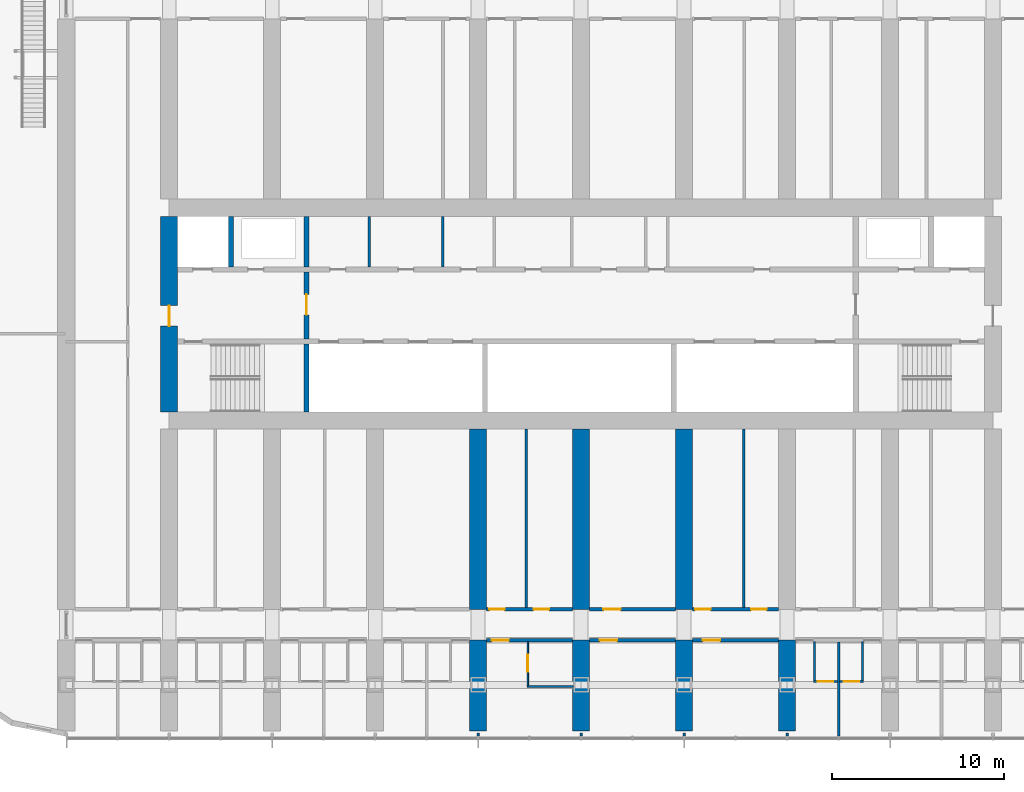
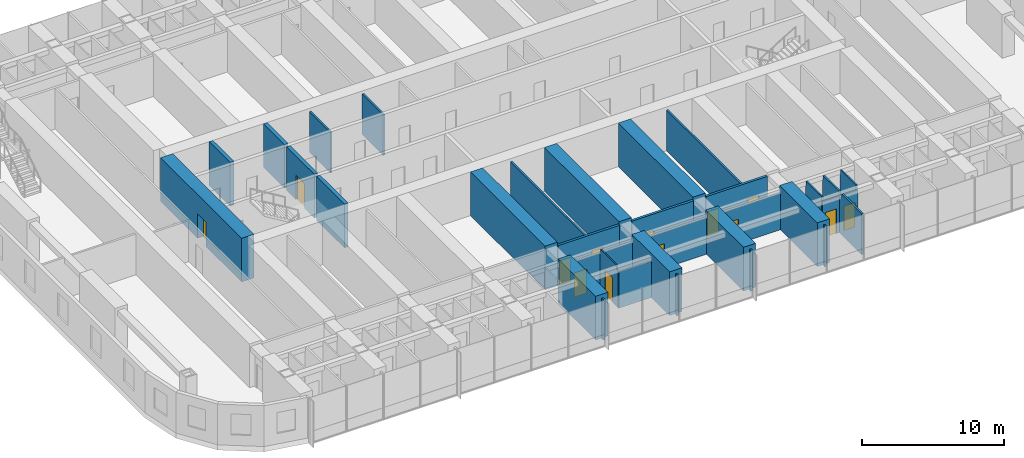
# One storey, part 14 of 28: 33 walls, 13 doors, 13 openings.
"""IFC4 building model written with IfcOpenShell, lengths in metres."""

from ifc_helpers import new_model, si_unit, direction, frame, frame_2d, origin, place, context, subcontext, project, spatial, polyline, rectangle, outline, extrude, material, layer, layer_set, type_object, element, fill, save


model = new_model("IFC4")

# Units and contexts
model_context = context("Model", 3, precision=1e-05, world=origin(), true_north=direction((0.0, 1.0)))
body_context = subcontext(model_context, "Body", "Model", "MODEL_VIEW")
ifc_project = project(units=[si_unit("LENGTHUNIT", "METRE"), si_unit("AREAUNIT", "SQUARE_METRE"), si_unit("VOLUMEUNIT", "CUBIC_METRE"), si_unit("PLANEANGLEUNIT", "RADIAN"), si_unit("MASSUNIT", "GRAM", prefix="KILO")], contexts=[model_context])

# Site, building, storey
site_placement = place(None, origin())
site = spatial("IfcSite", under=ifc_project, at=site_placement, CompositionType="ELEMENT")
building_placement = place(site_placement, origin())
building = spatial("IfcBuilding", under=site, at=building_placement, Name="Orbita Commons", CompositionType="ELEMENT")
storey_placement = place(building_placement, frame((0.0, 0.0, 38.949951171875)))
storey = spatial("IfcBuildingStorey", under=building, at=storey_placement, Name="L09", CompositionType="ELEMENT", Elevation=38.949951171875)

# Wall
ifc_material_1 = material(Name="Concrete C50/60", Category="concrete")
ifc_layer_1 = layer(ifc_material_1, 0.300048828125)
ifc_layer_set_1 = layer_set([ifc_layer_1], Name="Concrete C50/60")
wall_type_1 = type_object("IfcWallType", Name="Core inner wall 300 C50/60", PredefinedType="SHEAR", material=ifc_layer_set_1)
wall_1_placement = place(storey_placement, frame((26.0, 26.300048828125, 0.0), z_axis=(0.0, 0.0, 1.0), x_axis=(0.0, 1.0, 0.0)))
element("IfcWall", 1, at=wall_1_placement, inside=storey, type_object=wall_type_1, Name="Stair S1 wall L09", PredefinedType="SHEAR", context=body_context, shape_type="SweptSolid", body=[
    extrude(rectangle(XDim=3.949951171875, YDim=0.300048828125, at=frame_2d((1.97509765625, 0.0))), origin(), (0.0, 0.0, 1.0), 3.75),
])

# Wall, opening, door
wall_2_placement = place(storey_placement, frame((26.0, 30.550048828125, 0.0), z_axis=(0.0, 0.0, 1.0), x_axis=(0.0, 1.0, 0.0)))
wall_2 = element("IfcWall", 2, at=wall_2_placement, inside=storey, type_object=wall_type_1, Name="Firefighting lobby wall west L09", PredefinedType="SHEAR", context=body_context, shape_type="SweptSolid", body=[
    extrude(rectangle(XDim=3.89990234375, YDim=0.300048828125, at=frame_2d((1.949951171875, 0.0))), origin(), (0.0, 0.0, 1.0), 3.75),
])
opening_1_placement = place(wall_2_placement, frame((1.39990234375, 0.0, 0.0)))
opening_1 = element("IfcOpeningElement", 3, at=opening_1_placement, cuts=wall_2, Name="Opening D04", PredefinedType="OPENING", context=body_context, shape_type="SweptSolid", body=[
    extrude(rectangle(XDim=1.199951171875, YDim=2.10009765625, at=frame_2d((0.60009765625, 1.050048828125))), frame((0.0, 0.159912109375, 0.0), z_axis=(0.0, -1.0, 0.0), x_axis=(1.0, 0.0, 0.0)), (0.0, 0.0, 1.0), 0.320068359375),
])
ifc_material_2 = material(Name="Steel-faced fire door leaf", Category="steel")
door_type_1 = type_object("IfcDoorType", Name="Service door 20 min 1200x2100", OperationType="SINGLE_SWING_LEFT", PredefinedType="DOOR", material=ifc_material_2)
door_1_placement = place(opening_1_placement, origin())
door_1 = element("IfcDoor", 4, at=door_1_placement, inside=storey, type_object=door_type_1, Name="Lift lobby door west", OperationType="SINGLE_SWING_LEFT", OverallHeight=2.10009765625, OverallWidth=1.199951171875, PredefinedType="DOOR", context=body_context, shape_type="SweptSolid", body=[
    extrude(rectangle(XDim=1.199951171875, YDim=2.10009765625, at=frame_2d((0.60009765625, 1.050048828125))), frame((0.0, 0.02490234375, 0.0), z_axis=(0.0, -1.0, 0.0), x_axis=(1.0, 0.0, 0.0)), (0.0, 0.0, 1.0), 0.050048828125),
])
fill(opening_1, door_1)

# Walls
for number, where, z_axis, x_axis, name in (
    (5, (21.60009765625, 34.75, 0.0), (0.0, 0.0, 1.0), (0.0, 1.0, 0.0), "Firefighting lift FL1 shaft wall L09"),
    (6, (26.0, 34.75, 0.0), (0.0, 0.0, 1.0), (0.0, 1.0, 0.0), "Riser wall west L09"),
):
    element("IfcWall", number, at=place(storey_placement, frame(where, z_axis=z_axis, x_axis=x_axis)), inside=storey, type_object=wall_type_1, Name=name, PredefinedType="SHEAR", context=body_context, shape_type="SweptSolid", body=[
        extrude(rectangle(XDim=2.949951171875, YDim=0.300048828125, at=frame_2d((1.47509765625, 0.0))), origin(), (0.0, 0.0, 1.0), 3.75),
    ])
ifc_material_3 = material(Name="Concrete blockwork", Category="masonry")
ifc_layer_2 = layer(ifc_material_3, 0.14990234375)
ifc_layer_set_2 = layer_set([ifc_layer_2], Name="Concrete blockwork")
wall_type_2 = type_object("IfcWallType", Name="Core partition 150 blockwork", PredefinedType="SOLIDWALL", material=ifc_layer_set_2)
for number, where, z_axis, x_axis, name in (
    (7, (29.65087890625, 34.75, 0.0), (0.0, 0.0, 1.0), (0.0, 1.0, 0.0), "Core partition 150 blockwork L09"),
    (8, (33.9462890625, 34.75, 0.0), (0.0, 0.0, 1.0), (0.0, 1.0, 0.0), "Core partition 150 blockwork L09"),
):
    element("IfcWall", number, at=place(storey_placement, frame(where, z_axis=z_axis, x_axis=x_axis)), inside=storey, type_object=wall_type_2, Name=name, PredefinedType="SOLIDWALL", context=body_context, shape_type="SweptSolid", body=[
        extrude(rectangle(XDim=2.949951171875, YDim=0.14990234375, at=frame_2d((1.47509765625, 0.0))), origin(), (0.0, 0.0, 1.0), 3.5),
    ])

# Wall, opening, door
ifc_material_4 = material(Name="Concrete C50/60", Category="concrete")
ifc_layer_3 = layer(ifc_material_4, 1.0)
ifc_layer_set_3 = layer_set([ifc_layer_3], Name="Concrete C50/60")
wall_type_3 = type_object("IfcWallType", Name="Core wall 1000 C50/60", PredefinedType="SHEAR", material=ifc_layer_set_3)
wall_3_placement = place(storey_placement, frame((18.0, 26.300048828125, 0.0), z_axis=(0.0, 0.0, 1.0), x_axis=(0.0, 1.0, 0.0)))
wall_3 = element("IfcWall", 9, at=wall_3_placement, inside=storey, type_object=wall_type_3, Name="Core end wall west L09", PredefinedType="SHEAR", context=body_context, shape_type="SweptSolid", body=[
    extrude(rectangle(XDim=11.39990234375, YDim=1.0, at=frame_2d((5.699951171875, 0.0))), origin(), (0.0, 0.0, 1.0), 3.75),
])
opening_2_placement = place(wall_3_placement, frame((5.0, 0.0, 0.0)))
opening_2 = element("IfcOpeningElement", 10, at=opening_2_placement, cuts=wall_3, Name="Opening D01", PredefinedType="OPENING", context=body_context, shape_type="SweptSolid", body=[
    extrude(rectangle(XDim=1.199951171875, YDim=2.10009765625, at=frame_2d((0.60009765625, 1.050048828125))), frame((0.0, 0.510009765625, 0.0), z_axis=(0.0, -1.0, 0.0), x_axis=(1.0, 0.0, 0.0)), (0.0, 0.0, 1.0), 1.02001953125),
])
ifc_material_5 = material(Name="Steel-faced fire door leaf", Category="steel")
door_type_2 = type_object("IfcDoorType", Name="Fire door 90 min 1200x2100", OperationType="SINGLE_SWING_LEFT", PredefinedType="DOOR", material=ifc_material_5)
door_2_placement = place(opening_2_placement, origin())
door_2 = element("IfcDoor", 11, at=door_2_placement, inside=storey, type_object=door_type_2, Name="Firefighting lobby west door", OperationType="SINGLE_SWING_LEFT", OverallHeight=2.10009765625, OverallWidth=1.199951171875, PredefinedType="DOOR", context=body_context, shape_type="SweptSolid", body=[
    extrude(rectangle(XDim=1.199951171875, YDim=2.10009765625, at=frame_2d((0.60009765625, 1.050048828125))), frame((0.0, 0.02490234375, 0.0), z_axis=(0.0, -1.0, 0.0), x_axis=(1.0, 0.0, 0.0)), (0.0, 0.0, 1.0), 0.050048828125),
])
fill(opening_2, door_2)

ifc_material_6 = material(Name="Concrete blockwork", Category="masonry")
ifc_layer_4 = layer(ifc_material_6, 0.199951171875)
ifc_layer_set_4 = layer_set([ifc_layer_4], Name="Concrete blockwork")
wall_type_4 = type_object("IfcWallType", Name="Corridor wall 200 blockwork", PredefinedType="SOLIDWALL", material=ifc_layer_set_4)
wall_4_placement = place(storey_placement, frame((36.5, 13.0, 0.0), z_axis=(0.0, 0.0, 1.0), x_axis=(1.0, 0.0, 0.0)))
wall_4 = element("IfcWall", 12, at=wall_4_placement, inside=storey, type_object=wall_type_4, Name="Corridor wall 200 blockwork L09", PredefinedType="SOLIDWALL", context=body_context, shape_type="SweptSolid", body=[
    extrude(outline(polyline([(0.0, 0.0), (5.0, 0.0), (5.0, 3.10009765625), (0.0, 3.10009765625), (0.0, 0.0)])), frame((0.0, 0.10009765625, 0.0), z_axis=(0.0, -1.0, 0.0), x_axis=(1.0, 0.0, 0.0)), (0.0, 0.0, 1.0), 0.199951171875),
])
opening_3_placement = place(wall_4_placement, frame((0.300048828125, 0.0, 0.0)))
opening_3 = element("IfcOpeningElement", 13, at=opening_3_placement, cuts=wall_4, Name="Opening D06", PredefinedType="OPENING", context=body_context, shape_type="SweptSolid", body=[
    extrude(rectangle(XDim=1.0, YDim=2.10009765625, at=frame_2d((0.5, 1.050048828125))), frame((0.0, 0.10986328125, 0.0), z_axis=(0.0, -1.0, 0.0), x_axis=(1.0, 0.0, 0.0)), (0.0, 0.0, 1.0), 0.219970703125),
])
ifc_material_7 = material(Name="Steel-faced fire door leaf", Category="steel")
door_type_3 = type_object("IfcDoorType", Name="Corridor door 20 min 1000x2100", OperationType="SINGLE_SWING_LEFT", PredefinedType="DOOR", material=ifc_material_7)
door_3_placement = place(opening_3_placement, origin())
door_3 = element("IfcDoor", 14, at=door_3_placement, inside=storey, type_object=door_type_3, Name="Accessible bedroom L09-S08 door", OperationType="SINGLE_SWING_LEFT", OverallHeight=2.10009765625, OverallWidth=1.0, PredefinedType="DOOR", context=body_context, shape_type="SweptSolid", body=[
    extrude(rectangle(XDim=1.0, YDim=2.10009765625, at=frame_2d((0.5, 1.050048828125))), frame((0.0, 0.02490234375, 0.0), z_axis=(0.0, -1.0, 0.0), x_axis=(1.0, 0.0, 0.0)), (0.0, 0.0, 1.0), 0.050048828125),
])
fill(opening_3, door_3)

wall_5_placement = place(storey_placement, frame((42.5, 13.0, 0.0), z_axis=(0.0, 0.0, 1.0), x_axis=(1.0, 0.0, 0.0)))
wall_5 = element("IfcWall", 15, at=wall_5_placement, inside=storey, type_object=wall_type_4, Name="Corridor wall 200 blockwork L09", PredefinedType="SOLIDWALL", context=body_context, shape_type="SweptSolid", body=[
    extrude(outline(polyline([(0.0, 0.0), (5.0, 0.0), (5.0, 3.10009765625), (0.0, 3.10009765625), (0.0, 0.0)])), frame((0.0, 0.10009765625, 0.0), z_axis=(0.0, -1.0, 0.0), x_axis=(1.0, 0.0, 0.0)), (0.0, 0.0, 1.0), 0.199951171875),
])
opening_4_placement = place(wall_5_placement, frame((0.60009765625, 0.0, 0.0)))
opening_4 = element("IfcOpeningElement", 16, at=opening_4_placement, cuts=wall_5, Name="Opening D06", PredefinedType="OPENING", context=body_context, shape_type="SweptSolid", body=[
    extrude(rectangle(XDim=1.0, YDim=2.10009765625, at=frame_2d((0.5, 1.050048828125))), frame((0.0, 0.10986328125, 0.0), z_axis=(0.0, -1.0, 0.0), x_axis=(1.0, 0.0, 0.0)), (0.0, 0.0, 1.0), 0.219970703125),
])
door_4_placement = place(opening_4_placement, origin())
door_4 = element("IfcDoor", 17, at=door_4_placement, inside=storey, type_object=door_type_3, Name="House study room L09-S10 door", OperationType="SINGLE_SWING_LEFT", OverallHeight=2.10009765625, OverallWidth=1.0, PredefinedType="DOOR", context=body_context, shape_type="SweptSolid", body=[
    extrude(rectangle(XDim=1.0, YDim=2.10009765625, at=frame_2d((0.5, 1.050048828125))), frame((0.0, 0.02490234375, 0.0), z_axis=(0.0, -1.0, 0.0), x_axis=(1.0, 0.0, 0.0)), (0.0, 0.0, 1.0), 0.050048828125),
])
fill(opening_4, door_4)

wall_6_placement = place(storey_placement, frame((48.5, 13.0, 0.0), z_axis=(0.0, 0.0, 1.0), x_axis=(1.0, 0.0, 0.0)))
wall_6 = element("IfcWall", 18, at=wall_6_placement, inside=storey, type_object=wall_type_4, Name="Corridor wall 200 blockwork L09", PredefinedType="SOLIDWALL", context=body_context, shape_type="SweptSolid", body=[
    extrude(outline(polyline([(0.0, 0.0), (5.0, 0.0), (5.0, 3.10009765625), (0.0, 3.10009765625), (0.0, 0.0)])), frame((0.0, 0.10009765625, 0.0), z_axis=(0.0, -1.0, 0.0), x_axis=(1.0, 0.0, 0.0)), (0.0, 0.0, 1.0), 0.199951171875),
])
opening_5_placement = place(wall_6_placement, frame((0.60009765625, 0.0, 0.0)))
opening_5 = element("IfcOpeningElement", 19, at=opening_5_placement, cuts=wall_6, Name="Opening D06", PredefinedType="OPENING", context=body_context, shape_type="SweptSolid", body=[
    extrude(rectangle(XDim=1.0, YDim=2.10009765625, at=frame_2d((0.5, 1.050048828125))), frame((0.0, 0.10986328125, 0.0), z_axis=(0.0, -1.0, 0.0), x_axis=(1.0, 0.0, 0.0)), (0.0, 0.0, 1.0), 0.219970703125),
])
door_5_placement = place(opening_5_placement, origin())
door_5 = element("IfcDoor", 20, at=door_5_placement, inside=storey, type_object=door_type_3, Name="House kitchen-diner L09-S12 door", OperationType="SINGLE_SWING_LEFT", OverallHeight=2.10009765625, OverallWidth=1.0, PredefinedType="DOOR", context=body_context, shape_type="SweptSolid", body=[
    extrude(rectangle(XDim=1.0, YDim=2.10009765625, at=frame_2d((0.5, 1.050048828125))), frame((0.0, 0.02490234375, 0.0), z_axis=(0.0, -1.0, 0.0), x_axis=(1.0, 0.0, 0.0)), (0.0, 0.0, 1.0), 0.050048828125),
])
fill(opening_5, door_5)

# Wall, openings, doors
ifc_material_8 = material(Name="Hollow concrete block 200", Category="concrete")
ifc_layer_5 = layer(ifc_material_8, 0.199951171875)
ifc_layer_set_5 = layer_set([ifc_layer_5], Name="Hollow concrete block 200")
wall_type_5 = type_object("IfcWallType", Name="Corridor wall 200 hollow concrete block", PredefinedType="SOLIDWALL", material=ifc_layer_set_5)
wall_7_placement = place(storey_placement, frame((36.5, 14.800048828125, 0.0), z_axis=(0.0, 0.0, 1.0), x_axis=(1.0, 0.0, 0.0)))
wall_7 = element("IfcWall", 21, at=wall_7_placement, inside=storey, type_object=wall_type_5, Name="Corridor wall 200 hollow concrete block L09", PredefinedType="SOLIDWALL", context=body_context, shape_type="SweptSolid", body=[
    extrude(rectangle(XDim=5.0, YDim=0.199951171875, at=frame_2d((2.5, 0.0))), origin(), (0.0, 0.0, 1.0), 3.5),
])
opening_6_placement = place(wall_7_placement, frame((0.14990234375, 0.0, 0.0)))
opening_6 = element("IfcOpeningElement", 22, at=opening_6_placement, cuts=wall_7, Name="Opening D11", PredefinedType="OPENING", context=body_context, shape_type="SweptSolid", body=[
    extrude(rectangle(XDim=0.89990234375, YDim=2.10009765625, at=frame_2d((0.449951171875, 1.050048828125))), frame((0.0, 0.10986328125, 0.0), z_axis=(0.0, -1.0, 0.0), x_axis=(1.0, 0.0, 0.0)), (0.0, 0.0, 1.0), 0.219970703125),
])
opening_7_placement = place(wall_7_placement, frame((2.735107421875, 0.0, 0.0)))
opening_7 = element("IfcOpeningElement", 23, at=opening_7_placement, cuts=wall_7, Name="Opening D11", PredefinedType="OPENING", context=body_context, shape_type="SweptSolid", body=[
    extrude(rectangle(XDim=0.89990234375, YDim=2.10009765625, at=frame_2d((0.449951171875, 1.050048828125))), frame((0.0, 0.10986328125, 0.0), z_axis=(0.0, -1.0, 0.0), x_axis=(1.0, 0.0, 0.0)), (0.0, 0.0, 1.0), 0.219970703125),
])
ifc_material_9 = material(Name="Steel-faced fire door leaf", Category="steel")
door_type_4 = type_object("IfcDoorType", Name="Corridor door 20 min 900x2100", OperationType="SINGLE_SWING_LEFT", PredefinedType="DOOR", material=ifc_material_9)
door_6_placement = place(opening_6_placement, origin())
door_6 = element("IfcDoor", 24, at=door_6_placement, inside=storey, type_object=door_type_4, Name="Maker workshop L09-BDS36 door", OperationType="SINGLE_SWING_LEFT", OverallHeight=2.10009765625, OverallWidth=0.89990234375, PredefinedType="DOOR", context=body_context, shape_type="SweptSolid", body=[
    extrude(rectangle(XDim=0.89990234375, YDim=2.10009765625, at=frame_2d((0.449951171875, 1.050048828125))), frame((0.0, 0.02490234375, 0.0), z_axis=(0.0, -1.0, 0.0), x_axis=(1.0, 0.0, 0.0)), (0.0, 0.0, 1.0), 0.050048828125),
])
fill(opening_6, door_6)
door_7_placement = place(opening_7_placement, origin())
door_7 = element("IfcDoor", 25, at=door_7_placement, inside=storey, type_object=door_type_4, Name="Battery and UPS room L09-BDS36n door", OperationType="SINGLE_SWING_LEFT", OverallHeight=2.10009765625, OverallWidth=0.89990234375, PredefinedType="DOOR", context=body_context, shape_type="SweptSolid", body=[
    extrude(rectangle(XDim=0.89990234375, YDim=2.10009765625, at=frame_2d((0.449951171875, 1.050048828125))), frame((0.0, 0.02490234375, 0.0), z_axis=(0.0, -1.0, 0.0), x_axis=(1.0, 0.0, 0.0)), (0.0, 0.0, 1.0), 0.050048828125),
])
fill(opening_7, door_7)

# Wall, opening, door
wall_8_placement = place(storey_placement, frame((42.5, 14.800048828125, 0.0), z_axis=(0.0, 0.0, 1.0), x_axis=(1.0, 0.0, 0.0)))
wall_8 = element("IfcWall", 26, at=wall_8_placement, inside=storey, type_object=wall_type_5, Name="Corridor wall 200 hollow concrete block L09", PredefinedType="SOLIDWALL", context=body_context, shape_type="SweptSolid", body=[
    extrude(rectangle(XDim=5.0, YDim=0.199951171875, at=frame_2d((2.5, 0.0))), origin(), (0.0, 0.0, 1.0), 3.5),
])
opening_8_placement = place(wall_8_placement, frame((0.800048828125, 0.0, 0.0)))
opening_8 = element("IfcOpeningElement", 27, at=opening_8_placement, cuts=wall_8, Name="Opening D06", PredefinedType="OPENING", context=body_context, shape_type="SweptSolid", body=[
    extrude(rectangle(XDim=1.0, YDim=2.10009765625, at=frame_2d((0.5, 1.050048828125))), frame((0.0, 0.10986328125, 0.0), z_axis=(0.0, -1.0, 0.0), x_axis=(1.0, 0.0, 0.0)), (0.0, 0.0, 1.0), 0.219970703125),
])
door_8_placement = place(opening_8_placement, origin())
door_8 = element("IfcDoor", 28, at=door_8_placement, inside=storey, type_object=door_type_3, Name="Ventilation plant room south L09-BDS42 door", OperationType="SINGLE_SWING_LEFT", OverallHeight=2.10009765625, OverallWidth=1.0, PredefinedType="DOOR", context=body_context, shape_type="SweptSolid", body=[
    extrude(rectangle(XDim=1.0, YDim=2.10009765625, at=frame_2d((0.5, 1.050048828125))), frame((0.0, 0.02490234375, 0.0), z_axis=(0.0, -1.0, 0.0), x_axis=(1.0, 0.0, 0.0)), (0.0, 0.0, 1.0), 0.050048828125),
])
fill(opening_8, door_8)

# Wall, openings, doors
wall_9_placement = place(storey_placement, frame((48.5, 14.800048828125, 0.0), z_axis=(0.0, 0.0, 1.0), x_axis=(1.0, 0.0, 0.0)))
wall_9 = element("IfcWall", 29, at=wall_9_placement, inside=storey, type_object=wall_type_5, Name="Corridor wall 200 hollow concrete block L09", PredefinedType="SOLIDWALL", context=body_context, shape_type="SweptSolid", body=[
    extrude(rectangle(XDim=5.0, YDim=0.199951171875, at=frame_2d((2.5, 0.0))), origin(), (0.0, 0.0, 1.0), 3.5),
])
opening_9_placement = place(wall_9_placement, frame((0.14990234375, 0.0, 0.0)))
opening_9 = element("IfcOpeningElement", 30, at=opening_9_placement, cuts=wall_9, Name="Opening D11", PredefinedType="OPENING", context=body_context, shape_type="SweptSolid", body=[
    extrude(rectangle(XDim=0.89990234375, YDim=2.10009765625, at=frame_2d((0.449951171875, 1.050048828125))), frame((0.0, 0.10986328125, 0.0), z_axis=(0.0, -1.0, 0.0), x_axis=(1.0, 0.0, 0.0)), (0.0, 0.0, 1.0), 0.219970703125),
])
opening_10_placement = place(wall_9_placement, frame((3.405029296875, 0.0, 0.0)))
opening_10 = element("IfcOpeningElement", 31, at=opening_10_placement, cuts=wall_9, Name="Opening D11", PredefinedType="OPENING", context=body_context, shape_type="SweptSolid", body=[
    extrude(rectangle(XDim=0.89990234375, YDim=2.10009765625, at=frame_2d((0.449951171875, 1.050048828125))), frame((0.0, 0.10986328125, 0.0), z_axis=(0.0, -1.0, 0.0), x_axis=(1.0, 0.0, 0.0)), (0.0, 0.0, 1.0), 0.219970703125),
])
door_9_placement = place(opening_9_placement, origin())
door_9 = element("IfcDoor", 32, at=door_9_placement, inside=storey, type_object=door_type_4, Name="Electrical and data room L09-BDS48 door", OperationType="SINGLE_SWING_LEFT", OverallHeight=2.10009765625, OverallWidth=0.89990234375, PredefinedType="DOOR", context=body_context, shape_type="SweptSolid", body=[
    extrude(rectangle(XDim=0.89990234375, YDim=2.10009765625, at=frame_2d((0.449951171875, 1.050048828125))), frame((0.0, 0.02490234375, 0.0), z_axis=(0.0, -1.0, 0.0), x_axis=(1.0, 0.0, 0.0)), (0.0, 0.0, 1.0), 0.050048828125),
])
fill(opening_9, door_9)
door_10_placement = place(opening_10_placement, origin())
door_10 = element("IfcDoor", 33, at=door_10_placement, inside=storey, type_object=door_type_4, Name="Sprinkler valve room L09-BDS48n door", OperationType="SINGLE_SWING_LEFT", OverallHeight=2.10009765625, OverallWidth=0.89990234375, PredefinedType="DOOR", context=body_context, shape_type="SweptSolid", body=[
    extrude(rectangle(XDim=0.89990234375, YDim=2.10009765625, at=frame_2d((0.449951171875, 1.050048828125))), frame((0.0, 0.02490234375, 0.0), z_axis=(0.0, -1.0, 0.0), x_axis=(1.0, 0.0, 0.0)), (0.0, 0.0, 1.0), 0.050048828125),
])
fill(opening_10, door_10)

# Walls
ifc_material_10 = material(Name="Concrete C50/60", Category="concrete")
ifc_layer_6 = layer(ifc_material_10, 1.0)
ifc_layer_set_6 = layer_set([ifc_layer_6], Name="Concrete C50/60")
wall_type_6 = type_object("IfcWallType", Name="Cross wall 1000 C50/60", PredefinedType="SHEAR", material=ifc_layer_set_6)
wall_10_placement = place(storey_placement, frame((36.0, 7.699951171875, 0.0), z_axis=(0.0, 0.0, 1.0), x_axis=(0.0, 1.0, 0.0)))
element("IfcWall", 34, at=wall_10_placement, inside=storey, type_object=wall_type_6, Name="Cross wall 7 south outer L09", PredefinedType="SHEAR", context=body_context, shape_type="SweptSolid", body=[
    extrude(rectangle(XDim=5.300048828125, YDim=1.0, at=frame_2d((2.64990234375, 0.0))), origin(), (0.0, 0.0, 1.0), 3.75),
])
wall_11_placement = place(storey_placement, frame((36.0, 14.800048828125, 0.0), z_axis=(0.0, 0.0, 1.0), x_axis=(0.0, 1.0, 0.0)))
element("IfcWall", 35, at=wall_11_placement, inside=storey, type_object=wall_type_6, Name="Cross wall 7 south inner L09", PredefinedType="SHEAR", context=body_context, shape_type="SweptSolid", body=[
    extrude(rectangle(XDim=10.5, YDim=1.0, at=frame_2d((5.25, 0.0))), origin(), (0.0, 0.0, 1.0), 3.75),
])
wall_12_placement = place(storey_placement, frame((42.0, 7.699951171875, 0.0), z_axis=(0.0, 0.0, 1.0), x_axis=(0.0, 1.0, 0.0)))
element("IfcWall", 36, at=wall_12_placement, inside=storey, type_object=wall_type_6, Name="Cross wall 8 south outer L09", PredefinedType="SHEAR", context=body_context, shape_type="SweptSolid", body=[
    extrude(rectangle(XDim=5.300048828125, YDim=1.0, at=frame_2d((2.64990234375, 0.0))), origin(), (0.0, 0.0, 1.0), 3.75),
])
wall_13_placement = place(storey_placement, frame((42.0, 14.800048828125, 0.0), z_axis=(0.0, 0.0, 1.0), x_axis=(0.0, 1.0, 0.0)))
element("IfcWall", 37, at=wall_13_placement, inside=storey, type_object=wall_type_6, Name="Cross wall 8 south inner L09", PredefinedType="SHEAR", context=body_context, shape_type="SweptSolid", body=[
    extrude(rectangle(XDim=10.5, YDim=1.0, at=frame_2d((5.25, 0.0))), origin(), (0.0, 0.0, 1.0), 3.75),
])
wall_14_placement = place(storey_placement, frame((48.0, 7.699951171875, 0.0), z_axis=(0.0, 0.0, 1.0), x_axis=(0.0, 1.0, 0.0)))
element("IfcWall", 38, at=wall_14_placement, inside=storey, type_object=wall_type_6, Name="Cross wall 9 south outer L09", PredefinedType="SHEAR", context=body_context, shape_type="SweptSolid", body=[
    extrude(rectangle(XDim=5.300048828125, YDim=1.0, at=frame_2d((2.64990234375, 0.0))), origin(), (0.0, 0.0, 1.0), 3.75),
])
wall_15_placement = place(storey_placement, frame((48.0, 14.800048828125, 0.0), z_axis=(0.0, 0.0, 1.0), x_axis=(0.0, 1.0, 0.0)))
element("IfcWall", 39, at=wall_15_placement, inside=storey, type_object=wall_type_6, Name="Cross wall 9 south inner L09", PredefinedType="SHEAR", context=body_context, shape_type="SweptSolid", body=[
    extrude(rectangle(XDim=10.5, YDim=1.0, at=frame_2d((5.25, 0.0))), origin(), (0.0, 0.0, 1.0), 3.75),
])
wall_16_placement = place(storey_placement, frame((54.0, 7.699951171875, 0.0), z_axis=(0.0, 0.0, 1.0), x_axis=(0.0, 1.0, 0.0)))
element("IfcWall", 40, at=wall_16_placement, inside=storey, type_object=wall_type_6, Name="Cross wall 10 south outer L09", PredefinedType="SHEAR", context=body_context, shape_type="SweptSolid", body=[
    extrude(rectangle(XDim=5.300048828125, YDim=1.0, at=frame_2d((2.64990234375, 0.0))), origin(), (0.0, 0.0, 1.0), 3.75),
])
ifc_material_11 = material(Name="Moisture-resistant plasterboard on steel studs", Category="steel")
ifc_layer_7 = layer(ifc_material_11, 0.10009765625)
ifc_layer_set_7 = layer_set([ifc_layer_7], Name="Moisture-resistant plasterboard on steel studs")
wall_type_7 = type_object("IfcWallType", Name="En-suite partition 100", PredefinedType="PARTITIONING", material=ifc_layer_set_7)
wall_17_placement = place(storey_placement, frame((38.85009765625, 10.300048828125, 0.0), z_axis=(0.0, 0.0, 1.0), x_axis=(1.0, 0.0, 0.0)))
element("IfcWall", 41, at=wall_17_placement, inside=storey, type_object=wall_type_7, Name="En-suite partition 100 L09", PredefinedType="PARTITIONING", context=body_context, shape_type="SweptSolid", body=[
    extrude(outline(polyline([(0.0, 0.0), (2.699951171875, 0.0), (2.699951171875, 3.10009765625), (0.0, 3.10009765625), (0.0, 0.0)])), frame((0.0, 0.050048828125, 0.0), z_axis=(0.0, -1.0, 0.0), x_axis=(1.0, 0.0, 0.0)), (0.0, 0.0, 1.0), 0.10009765625),
])

# Wall, opening, door
wall_18_placement = place(storey_placement, frame((38.89990234375, 10.35009765625, 0.0), z_axis=(0.0, 0.0, 1.0), x_axis=(0.0, 1.0, 0.0)))
wall_18 = element("IfcWall", 42, at=wall_18_placement, inside=storey, type_object=wall_type_7, Name="En-suite partition 100 L09", PredefinedType="PARTITIONING", context=body_context, shape_type="SweptSolid", body=[
    extrude(outline(polyline([(0.0, 0.0), (2.5498046875, 0.0), (2.550048828125, 3.10009765625), (2.501953125, 3.10009765625), (2.5, 3.5), (0.251953125, 3.5), (0.25, 3.10009765625), (0.0, 3.10009765625), (0.0, 0.0)])), frame((0.0, 0.050048828125, 0.0), z_axis=(0.0, -1.0, 0.0), x_axis=(1.0, 0.0, 0.0)), (0.0, 0.0, 1.0), 0.10009765625),
])
opening_11_placement = place(wall_18_placement, frame((0.800048828125, 0.0, 0.0)))
opening_11 = element("IfcOpeningElement", 43, at=opening_11_placement, cuts=wall_18, Name="Opening D13", PredefinedType="OPENING", context=body_context, shape_type="SweptSolid", body=[
    extrude(rectangle(XDim=1.0, YDim=2.10009765625, at=frame_2d((0.5, 1.050048828125))), frame((0.0, 0.06005859375, 0.0), z_axis=(0.0, -1.0, 0.0), x_axis=(1.0, 0.0, 0.0)), (0.0, 0.0, 1.0), 0.1201171875),
])
ifc_material_12 = material(Name="Laminated timber door leaf", Category="wood")
door_type_5 = type_object("IfcDoorType", Name="En-suite door 1000x2100", OperationType="SINGLE_SWING_RIGHT", PredefinedType="DOOR", material=ifc_material_12)
door_11_placement = place(opening_11_placement, origin())
door_11 = element("IfcDoor", 44, at=door_11_placement, inside=storey, type_object=door_type_5, Name="Accessible shower room L09-S08 door", OperationType="SINGLE_SWING_RIGHT", OverallHeight=2.10009765625, OverallWidth=1.0, PredefinedType="DOOR", context=body_context, shape_type="SweptSolid", body=[
    extrude(rectangle(XDim=1.0, YDim=2.10009765625, at=frame_2d((0.5, 1.050048828125))), frame((0.0, 0.02490234375, 0.0), z_axis=(0.0, -1.0, 0.0), x_axis=(1.0, 0.0, 0.0)), (0.0, 0.0, 1.0), 0.050048828125),
])
fill(opening_11, door_11)

wall_19_placement = place(storey_placement, frame((56.925048828125, 10.59814453125, 0.0), z_axis=(0.0, 0.0, 1.0), x_axis=(-1.0, 0.0, 0.0)))
wall_19 = element("IfcWall", 45, at=wall_19_placement, inside=storey, type_object=wall_type_7, Name="En-suite partition 100 L09", PredefinedType="PARTITIONING", context=body_context, shape_type="SweptSolid", body=[
    extrude(outline(polyline([(0.0, 0.0), (1.375, 0.0), (1.375, 3.10009765625), (0.0, 3.10009765625), (0.0, 0.0)])), frame((0.0, 0.050048828125, 0.0), z_axis=(0.0, -1.0, 0.0), x_axis=(1.0, 0.0, 0.0)), (0.0, 0.0, 1.0), 0.10009765625),
])
opening_12_placement = place(wall_19_placement, frame((0.237548828125, 0.0, 0.0)))
opening_12 = element("IfcOpeningElement", 46, at=opening_12_placement, cuts=wall_19, Name="Opening D09", PredefinedType="OPENING", context=body_context, shape_type="SweptSolid", body=[
    extrude(rectangle(XDim=0.89990234375, YDim=2.10009765625, at=frame_2d((0.449951171875, 1.050048828125))), frame((0.0, 0.06005859375, 0.0), z_axis=(0.0, -1.0, 0.0), x_axis=(1.0, 0.0, 0.0)), (0.0, 0.0, 1.0), 0.1201171875),
])
ifc_material_13 = material(Name="Laminated timber door leaf", Category="wood")
door_type_6 = type_object("IfcDoorType", Name="En-suite door 900x2100", OperationType="SINGLE_SWING_RIGHT", PredefinedType="DOOR", material=ifc_material_13)
door_12_placement = place(opening_12_placement, origin())
door_12 = element("IfcDoor", 47, at=door_12_placement, inside=storey, type_object=door_type_6, Name="En-suite L09-S14 door", OperationType="SINGLE_SWING_RIGHT", OverallHeight=2.10009765625, OverallWidth=0.89990234375, PredefinedType="DOOR", context=body_context, shape_type="SweptSolid", body=[
    extrude(rectangle(XDim=0.89990234375, YDim=2.10009765625, at=frame_2d((0.449951171875, 1.050048828125))), frame((0.0, 0.02490234375, 0.0), z_axis=(0.0, -1.0, 0.0), x_axis=(1.0, 0.0, 0.0)), (0.0, 0.0, 1.0), 0.050048828125),
])
fill(opening_12, door_12)

# Wall
wall_20_placement = place(storey_placement, frame((55.60009765625, 10.648193359375, 0.0), z_axis=(0.0, 0.0, 1.0), x_axis=(0.0, 1.0, 0.0)))
element("IfcWall", 48, at=wall_20_placement, inside=storey, type_object=wall_type_7, Name="En-suite partition 100 L09", PredefinedType="PARTITIONING", context=body_context, shape_type="SweptSolid", body=[
    extrude(outline(polyline([(0.0, 0.0), (2.251708984375, 0.0), (2.251953125, 3.10009765625), (2.203857421875, 3.10009765625), (2.201904296875, 3.5), (0.0, 3.5), (0.0, 0.0)])), frame((0.0, 0.050048828125, 0.0), z_axis=(0.0, -1.0, 0.0), x_axis=(1.0, 0.0, 0.0)), (0.0, 0.0, 1.0), 0.10009765625),
])

# Wall, opening, door
wall_21_placement = place(storey_placement, frame((58.449951171875, 10.59814453125, 0.0), z_axis=(0.0, 0.0, 1.0), x_axis=(-1.0, 0.0, 0.0)))
wall_21 = element("IfcWall", 49, at=wall_21_placement, inside=storey, type_object=wall_type_7, Name="En-suite partition 100 L09", PredefinedType="PARTITIONING", context=body_context, shape_type="SweptSolid", body=[
    extrude(outline(polyline([(0.0, 0.0), (1.375, 0.0), (1.375, 3.10009765625), (0.0, 3.10009765625), (0.0, 0.0)])), frame((0.0, 0.050048828125, 0.0), z_axis=(0.0, -1.0, 0.0), x_axis=(1.0, 0.0, 0.0)), (0.0, 0.0, 1.0), 0.10009765625),
])
opening_13_placement = place(wall_21_placement, frame((0.237548828125, 0.0, 0.0)))
opening_13 = element("IfcOpeningElement", 50, at=opening_13_placement, cuts=wall_21, Name="Opening D09", PredefinedType="OPENING", context=body_context, shape_type="SweptSolid", body=[
    extrude(rectangle(XDim=0.89990234375, YDim=2.10009765625, at=frame_2d((0.449951171875, 1.050048828125))), frame((0.0, 0.06005859375, 0.0), z_axis=(0.0, -1.0, 0.0), x_axis=(1.0, 0.0, 0.0)), (0.0, 0.0, 1.0), 0.1201171875),
])
door_13_placement = place(opening_13_placement, origin())
door_13 = element("IfcDoor", 51, at=door_13_placement, inside=storey, type_object=door_type_6, Name="En-suite L09-S15 door", OperationType="SINGLE_SWING_RIGHT", OverallHeight=2.10009765625, OverallWidth=0.89990234375, PredefinedType="DOOR", context=body_context, shape_type="SweptSolid", body=[
    extrude(rectangle(XDim=0.89990234375, YDim=2.10009765625, at=frame_2d((0.449951171875, 1.050048828125))), frame((0.0, 0.02490234375, 0.0), z_axis=(0.0, -1.0, 0.0), x_axis=(1.0, 0.0, 0.0)), (0.0, 0.0, 1.0), 0.050048828125),
])
fill(opening_13, door_13)

# Walls
wall_22_placement = place(storey_placement, frame((58.39990234375, 10.648193359375, 0.0), z_axis=(0.0, 0.0, 1.0), x_axis=(0.0, 1.0, 0.0)))
element("IfcWall", 52, at=wall_22_placement, inside=storey, type_object=wall_type_7, Name="En-suite partition 100 L09", PredefinedType="PARTITIONING", context=body_context, shape_type="SweptSolid", body=[
    extrude(outline(polyline([(0.0, 0.0), (2.251708984375, 0.0), (2.251953125, 3.10009765625), (2.203857421875, 3.10009765625), (2.201904296875, 3.5), (0.0, 3.5), (0.0, 0.0)])), frame((0.0, 0.050048828125, 0.0), z_axis=(0.0, -1.0, 0.0), x_axis=(1.0, 0.0, 0.0)), (0.0, 0.0, 1.0), 0.10009765625),
])
ifc_material_14 = material(Name="Gypsum plasterboard on steel studs", Category="steel")
ifc_layer_8 = layer(ifc_material_14, 0.14990234375)
ifc_layer_set_8 = layer_set([ifc_layer_8], Name="Gypsum plasterboard on steel studs")
wall_type_8 = type_object("IfcWallType", Name="Partition 150 plasterboard", PredefinedType="PARTITIONING", material=ifc_layer_set_8)
for number, where, z_axis, x_axis, name in (
    (53, (38.81005859375, 14.89990234375, 0.0), (0.0, 0.0, 1.0), (0.0, 1.0, 0.0), "Partition 150 plasterboard L09"),
    (54, (51.47998046875, 14.89990234375, 0.0), (0.0, 0.0, 1.0), (0.0, 1.0, 0.0), "Partition 150 plasterboard L09"),
):
    element("IfcWall", number, at=place(storey_placement, frame(where, z_axis=z_axis, x_axis=x_axis)), inside=storey, type_object=wall_type_8, Name=name, PredefinedType="PARTITIONING", context=body_context, shape_type="SweptSolid", body=[
        extrude(rectangle(XDim=10.400146484375, YDim=0.14990234375, at=frame_2d((5.2001953125, 0.0))), origin(), (0.0, 0.0, 1.0), 3.5),
    ])
for number, where, z_axis, x_axis, name in (
    (55, (36.0, 7.60009765625, 0.0), (0.0, 0.0, 1.0), (0.0, -1.0, 0.0), "Partition 150 plasterboard L09"),
    (56, (42.0, 7.60009765625, 0.0), (0.0, 0.0, 1.0), (0.0, -1.0, 0.0), "Partition 150 plasterboard L09"),
    (57, (48.0, 7.60009765625, 0.0), (0.0, 0.0, 1.0), (0.0, -1.0, 0.0), "Partition 150 plasterboard L09"),
    (58, (54.0, 7.60009765625, 0.0), (0.0, 0.0, 1.0), (0.0, -1.0, 0.0), "Partition 150 plasterboard L09"),
):
    element("IfcWall", number, at=place(storey_placement, frame(where, z_axis=z_axis, x_axis=x_axis)), inside=storey, type_object=wall_type_8, Name=name, PredefinedType="PARTITIONING", context=body_context, shape_type="SweptSolid", body=[
        extrude(rectangle(XDim=0.190185546875, YDim=0.14990234375, at=frame_2d((0.09521484375, 0.0))), origin(), (0.0, 0.0, 1.0), 3.5),
    ])
ifc_material_15 = material(Name="Gypsum plasterboard on steel studs", Category="steel")
ifc_layer_9 = layer(ifc_material_15, 0.14990234375)
ifc_layer_set_9 = layer_set([ifc_layer_9], Name="Gypsum plasterboard on steel studs")
wall_type_9 = type_object("IfcWallType", Name="Party wall 150 plasterboard", PredefinedType="PARTITIONING", material=ifc_layer_set_9)
wall_23_placement = place(storey_placement, frame((57.0, 7.409912109375, 0.0), z_axis=(0.0, 0.0, 1.0), x_axis=(0.0, 1.0, 0.0)))
element("IfcWall", 59, at=wall_23_placement, inside=storey, type_object=wall_type_9, Name="Party wall 150 plasterboard L09", PredefinedType="PARTITIONING", context=body_context, shape_type="SweptSolid", body=[
    extrude(outline(polyline([(0.0, 0.0), (5.489990234375, 0.0), (5.489990234375, 3.10009765625), (5.44189453125, 3.10009765625), (5.43994140625, 3.5), (3.19189453125, 3.5), (3.18994140625, 3.10009765625), (2.7919921875, 3.10009765625), (2.7900390625, 3.5), (0.0, 3.5), (0.0, 0.0)])), frame((0.0, 0.074951171875, 0.0), z_axis=(0.0, -1.0, 0.0), x_axis=(1.0, 0.0, 0.0)), (0.0, 0.0, 1.0), 0.14990234375),
])

save(model, "model.ifc")
